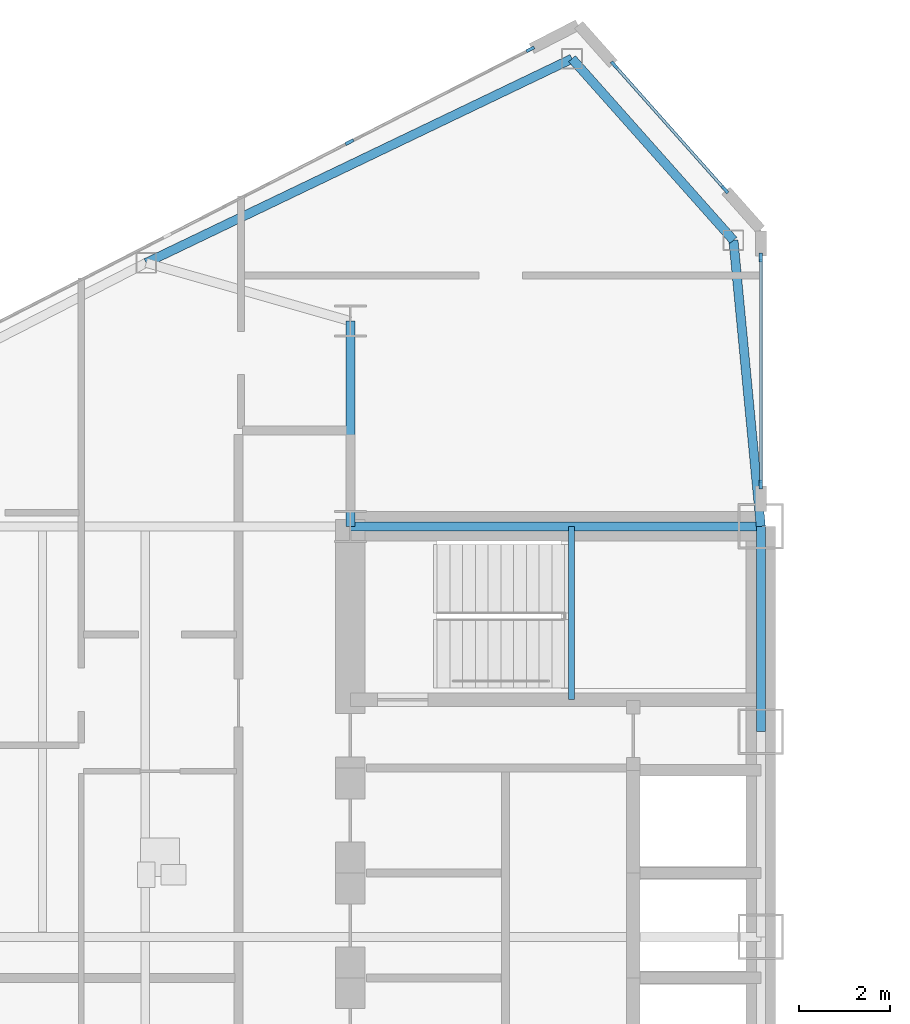
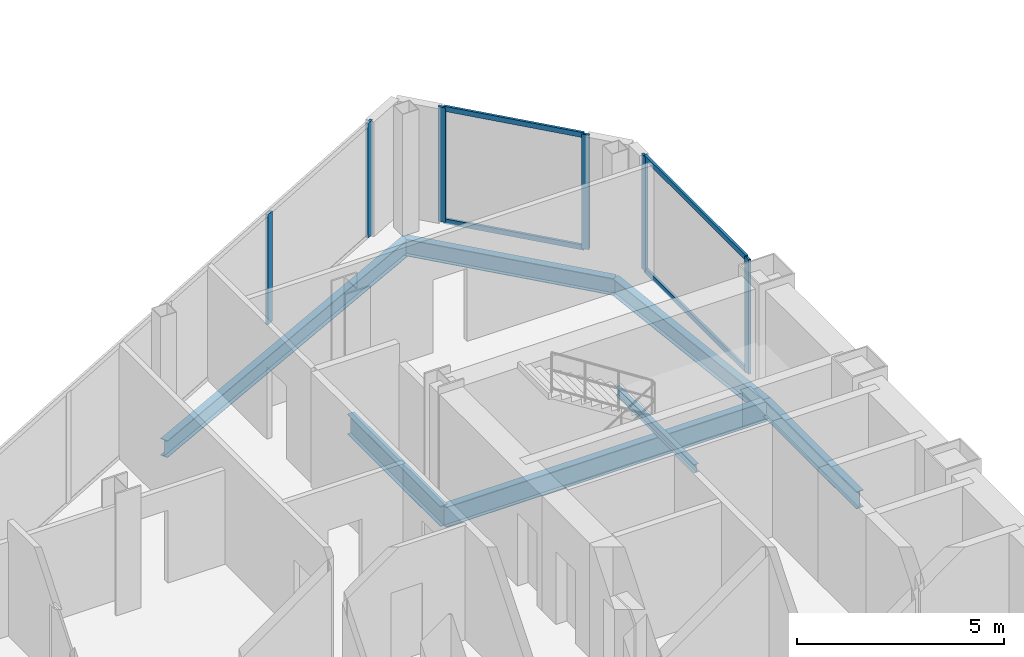
# One storey, part 7 of 24: 10 members, 7 beams, 3 elements without a shape of their own.
"""IFC4 building model written with IfcOpenShell, lengths in metres."""

import ifcopenshell
import ifcopenshell.guid

model = None  # the IFC model being written
_history = None  # IfcOwnerHistory: only IFC2X3 demands one
_inside = {}  # id of a spatial element -> (the spatial element, [elements in it])
_under = {}  # id of a project, library or spatial element -> (it, [spatial elements below it])
_declared = {}  # id of a project -> (the project, [libraries it declares])
_typed = {}  # id of a type object -> (the type object, [elements of that type])
_made_of = {}  # id of a material, layer set ... -> (it, [elements and type objects made of it])


def new_model(schema):
    """Start an empty IFC model of exactly this schema.

    Asked for "IFC4X3", IfcOpenShell would pick the latest addendum, in which some entities
    have other attributes; the version numbers below select the first issue.
    IFC2X3 requires an IfcOwnerHistory on every rooted entity: one is made here for all.
    """
    global model, _history
    if schema == "IFC4X3":
        model = ifcopenshell.file(schema_version=(4, 3, 0, 0))
    else:
        model = ifcopenshell.file(schema=schema)
    _inside.clear()
    _under.clear()
    _declared.clear()
    _typed.clear()
    _made_of.clear()
    _history = None
    if model.schema == "IFC2X3":
        org = make("IfcOrganization", Name="unknown")
        user = make(
            "IfcPersonAndOrganization",
            ThePerson=make("IfcPerson", FamilyName="unknown"),
            TheOrganization=org,
        )
        app = make(
            "IfcApplication",
            ApplicationDeveloper=org,
            Version="unknown",
            ApplicationFullName="unknown",
            ApplicationIdentifier="unknown",
        )
        _history = make(
            "IfcOwnerHistory",
            OwningUser=user,
            OwningApplication=app,
            ChangeAction="ADDED",
            CreationDate=0,
        )
    return model


def make(cls, **values):
    """One entity of the class cls with the attributes given. An attribute that is None is left unset."""
    return model.create_entity(
        cls, **{name: value for name, value in values.items() if value is not None}
    )


def rooted(cls, **values):
    """An entity with a GlobalId (a new one), such as an element, a storey or a relation."""
    return make(cls, GlobalId=ifcopenshell.guid.new(), OwnerHistory=_history, **values)


def si_unit(unit_type, name, prefix=None):
    """IfcSIUnit, for example si_unit("LENGTHUNIT", "METRE", prefix="MILLI")."""
    return make("IfcSIUnit", UnitType=unit_type, Prefix=prefix, Name=name)


def assignment(units):
    """IfcUnitAssignment: the units of a project."""
    return None if units is None else make("IfcUnitAssignment", Units=units)


def point(xyz):
    """IfcCartesianPoint."""
    return None if xyz is None else make("IfcCartesianPoint", Coordinates=xyz)


def direction(xyz):
    """IfcDirection."""
    return None if xyz is None else make("IfcDirection", DirectionRatios=xyz)


def frame(location, z_axis=None, x_axis=None):
    """IfcAxis2Placement3D, a coordinate frame: its origin and axes. An axis left out is left unset."""
    return make(
        "IfcAxis2Placement3D",
        Location=point(location),
        Axis=direction(z_axis),
        RefDirection=direction(x_axis),
    )


def frame_2d(location, x_axis=None):
    """IfcAxis2Placement2D, a coordinate frame in the plane: its origin and x axis."""
    return make(
        "IfcAxis2Placement2D", Location=point(location), RefDirection=direction(x_axis)
    )


def origin():
    """The frame at (0, 0, 0) with its axes left unset."""
    return frame((0.0, 0.0, 0.0))


def origin_2d():
    """The frame at (0, 0) in the plane with its x axis left unset."""
    return frame_2d((0.0, 0.0))


def place(relative_to, where):
    """IfcLocalPlacement: puts the frame where relative to a parent placement (None: the world)."""
    return make(
        "IfcLocalPlacement", PlacementRelTo=relative_to, RelativePlacement=where
    )


def context(
    kind, dimensions, precision=None, world=None, true_north=None, identifier=None
):
    """IfcGeometricRepresentationContext, for example the 3D "Model" context."""
    return make(
        "IfcGeometricRepresentationContext",
        ContextIdentifier=identifier,
        ContextType=kind,
        CoordinateSpaceDimension=dimensions,
        Precision=precision,
        WorldCoordinateSystem=world,
        TrueNorth=true_north,
    )


def subcontext(parent, identifier, kind, view, scale=None):
    """IfcGeometricRepresentationSubContext, for example "Body" below "Model"."""
    return make(
        "IfcGeometricRepresentationSubContext",
        ContextIdentifier=identifier,
        ContextType=kind,
        ParentContext=parent,
        TargetScale=scale,
        TargetView=view,
    )


def project(units=None, contexts=None):
    """IfcProject with its units and contexts."""
    return rooted(
        "IfcProject",
        Name="project",
        RepresentationContexts=contexts,
        UnitsInContext=assignment(units),
    )


def spatial(cls, under=None, at=None, **own):
    """A site, building, storey or space (cls), placed at a placement, below another one or the project."""
    s = rooted(cls, ObjectPlacement=at, **own)
    if under is not None:
        _under.setdefault(under.id(), (under, []))[1].append(s)
    return s


def profile(cls, at=None, kind="AREA", **sizes):
    """A parametric profile (cls). Its sizes go by their IFC names, for example OverallWidth=200.0."""
    return make(cls, ProfileType=kind, Position=at, **sizes)


def rectangle(**sizes):
    """IfcRectangleProfileDef."""
    return profile("IfcRectangleProfileDef", **sizes)


def i_section(**sizes):
    """IfcIShapeProfileDef."""
    return profile("IfcIShapeProfileDef", **sizes)


def extrude(swept, where, along, depth):
    """IfcExtrudedAreaSolid: the profile swept, set in the frame where, extruded along a direction by depth."""
    return make(
        "IfcExtrudedAreaSolid",
        SweptArea=swept,
        Position=where,
        ExtrudedDirection=direction(along),
        Depth=depth,
    )


def shape(context_of_items, identifier, shape_type, items):
    """IfcShapeRepresentation: the items that make up one representation, for example the "Body"."""
    return make(
        "IfcShapeRepresentation",
        ContextOfItems=context_of_items,
        RepresentationIdentifier=identifier,
        RepresentationType=shape_type,
        Items=items,
    )


def source(mapping_origin, context_of_items, identifier, shape_type, items):
    """IfcRepresentationMap: a shape defined once, which mapped items show again and again."""
    return make(
        "IfcRepresentationMap",
        MappingOrigin=mapping_origin,
        MappedRepresentation=shape(context_of_items, identifier, shape_type, items),
    )


def transform(
    local_origin,
    x_axis=None,
    y_axis=None,
    z_axis=None,
    scale=None,
    scale2=None,
    scale3=None,
    uniform=True,
):
    """IfcCartesianTransformationOperator3D, or its non-uniform kind. x_axis, y_axis, z_axis: its Axis1, 2, 3."""
    if uniform:
        return make(
            "IfcCartesianTransformationOperator3D",
            Axis1=direction(x_axis),
            Axis2=direction(y_axis),
            LocalOrigin=point(local_origin),
            Scale=scale,
            Axis3=direction(z_axis),
        )
    return make(
        "IfcCartesianTransformationOperator3DnonUniform",
        Axis1=direction(x_axis),
        Axis2=direction(y_axis),
        LocalOrigin=point(local_origin),
        Scale=scale,
        Axis3=direction(z_axis),
        Scale2=scale2,
        Scale3=scale3,
    )


def mapped(mapping_source, mapping_target):
    """IfcMappedItem: shows the shape of a source again, moved by a transform."""
    return make(
        "IfcMappedItem", MappingSource=mapping_source, MappingTarget=mapping_target
    )


def material(Name=None, Category=None):
    """IfcMaterial."""
    return make("IfcMaterial", Name=Name, Category=Category)


def layer(
    of_material, thickness, ventilated=None, Name=None, Category=None, Priority=None
):
    """IfcMaterialLayer: one layer of a wall or slab, of a material (None: an air gap)."""
    return make(
        "IfcMaterialLayer",
        Material=of_material,
        LayerThickness=thickness,
        IsVentilated=ventilated,
        Name=Name,
        Category=Category,
        Priority=Priority,
    )


def layer_set(layers, Name=None):
    """IfcMaterialLayerSet."""
    return make("IfcMaterialLayerSet", MaterialLayers=layers, LayerSetName=Name)


def material_profile(
    of_material, cross_section, Name=None, Category=None, Priority=None
):
    """IfcMaterialProfile: a cross section and its material."""
    return make(
        "IfcMaterialProfile",
        Name=Name,
        Material=of_material,
        Profile=cross_section,
        Priority=Priority,
        Category=Category,
    )


def profile_set(profiles, Name=None, composite=None):
    """IfcMaterialProfileSet."""
    return make(
        "IfcMaterialProfileSet",
        Name=Name,
        MaterialProfiles=profiles,
        CompositeProfile=composite,
    )


def made_of(thing, what):
    """Note that an element or type object is made of a material, layer set ...; save() writes the relation."""
    if what is not None:
        _made_of.setdefault(what.id(), (what, []))[1].append(thing)
    return thing


def type_object(cls, material=None, **own):
    """A type object (cls), such as IfcWallType, which elements share."""
    return made_of(rooted(cls, **own), material)


def type_shapes(of_type, sources):
    """Give a type object the sources (RepresentationMaps) that its elements show as mapped items."""
    of_type.RepresentationMaps = sources


def element(
    cls,
    number,
    at=None,
    inside=None,
    cuts=None,
    type_object=None,
    material=None,
    context=None,
    identifier="Body",
    shape_type=None,
    held_by="IfcProductDefinitionShape",
    body=None,
    shapes=None,
    **own,
):
    """One element of the class cls, such as IfcWall. Its Tag is "e" and its number.

    at: its placement. inside: the storey or other place that contains it. cuts: it is an
    opening in that element (IfcRelVoidsElement). A single representation is given by context,
    identifier, shape_type and body (its items); several are given by shapes. held_by: the class
    of the entity that holds the representations. save() writes the other relations.
    """
    e = rooted(cls, Tag="e%d" % number, ObjectPlacement=at, **own)
    if body is not None:
        shapes = [shape(context, identifier, shape_type, body)]
    if shapes is not None:
        e.Representation = make(held_by, Representations=shapes)
    if inside is not None:
        _inside.setdefault(inside.id(), (inside, []))[1].append(e)
    if cuts is not None:
        rooted(
            "IfcRelVoidsElement", RelatingBuildingElement=cuts, RelatedOpeningElement=e
        )
    if type_object is not None:
        _typed.setdefault(type_object.id(), (type_object, []))[1].append(e)
    return made_of(e, material)


def aggregate(whole, parts):
    """IfcRelAggregates: a whole, such as a stair, and the parts it consists of."""
    return rooted("IfcRelAggregates", RelatingObject=whole, RelatedObjects=parts)


def save(model, path):
    """Write the relations noted so far, then the file.

    IfcRelAggregates (storeys below a building ...), IfcRelContainedInSpatialStructure (elements
    in a storey), IfcRelDefinesByType, IfcRelAssociatesMaterial and IfcRelDeclares: one each for
    every whole, place, type object, material and project.
    """
    for whole, parts in _under.values():
        aggregate(whole, parts)
    for where, things in _inside.values():
        rooted(
            "IfcRelContainedInSpatialStructure",
            RelatedElements=things,
            RelatingStructure=where,
        )
    for kind, things in _typed.values():
        rooted("IfcRelDefinesByType", RelatedObjects=things, RelatingType=kind)
    for what, things in _made_of.values():
        rooted("IfcRelAssociatesMaterial", RelatedObjects=things, RelatingMaterial=what)
    for by, libraries in _declared.values():
        rooted("IfcRelDeclares", RelatingContext=by, RelatedDefinitions=libraries)
    model.write(path)


model = new_model("IFC4")

# Units and contexts
model_context = context("Model", 3, precision=1e-05, world=origin(), true_north=direction((0.0, 1.0)))
body_context = subcontext(model_context, "Body", "Model", "MODEL_VIEW")
ifc_project = project(units=[si_unit("LENGTHUNIT", "METRE"), si_unit("AREAUNIT", "SQUARE_METRE"), si_unit("VOLUMEUNIT", "CUBIC_METRE"), si_unit("PLANEANGLEUNIT", "RADIAN"), si_unit("MASSUNIT", "GRAM", prefix="KILO")], contexts=[model_context])

# Site, building, storey
site_placement = place(None, origin())
site = spatial("IfcSite", under=ifc_project, at=site_placement, CompositionType="ELEMENT")
building_placement = place(site_placement, origin())
building = spatial("IfcBuilding", under=site, at=building_placement, Name="Seokmaru Belvedere", CompositionType="ELEMENT")
storey_placement = place(building_placement, frame((0.0, 0.0, 124.800048828125)))
storey = spatial("IfcBuildingStorey", under=building, at=storey_placement, Name="L33", CompositionType="ELEMENT", Elevation=124.800048828125)

# Beams
ifc_material_1 = material(Name="Steel SM355 (355 MPa)", Category="steel")
ifc_material_profile_1 = material_profile(ifc_material_1, i_section(OverallWidth=0.199951171875, OverallDepth=0.5, WebThickness=0.010009765625, FlangeThickness=0.01611328125, at=origin_2d()), Name="H-500x200x10x16")
ifc_profile_set_1 = profile_set([ifc_material_profile_1], Name="Steel SM355 (355 MPa)")
beam_type_1 = type_object("IfcBeamType", Name="Perimeter Spandrel Beam H-500", PredefinedType="SPANDREL", material=ifc_profile_set_1)
shared_shape_1 = source(origin(), body_context, "Body", "SweptSolid", [
    extrude(i_section(OverallWidth=0.199951171875, OverallDepth=0.5, WebThickness=0.010009765625, FlangeThickness=0.01611328125, at=origin_2d()), origin(), (0.0, 0.0, 1.0), 4.5),
])
beam_1_placement = place(storey_placement, frame((-27.5, 9.0, -0.469970703125), z_axis=(0.0, 1.0, 0.0), x_axis=(-1.0, 0.0, 0.0)))
element("IfcBeam", 1, at=beam_1_placement, inside=storey, type_object=beam_type_1, Name="L33 W Portal Spine Spandrel 5", PredefinedType="SPANDREL", context=body_context, shape_type="MappedRepresentation", body=[
    mapped(shared_shape_1, transform((0.0, 0.0, 0.0), scale=1.0)),
])
ifc_material_profile_2 = material_profile(ifc_material_1, i_section(OverallWidth=0.199951171875, OverallDepth=0.60009765625, WebThickness=0.010986328125, FlangeThickness=0.01708984375, at=origin_2d()), Name="H-600x200x11x17")
ifc_profile_set_2 = profile_set([ifc_material_profile_2], Name="Steel SM355 (355 MPa)")
beam_type_2 = type_object("IfcBeamType", Name="Primary Floor Girder H-600", PredefinedType="BEAM", material=ifc_profile_set_2)
shared_shape_2 = source(origin(), body_context, "Body", "SweptSolid", [
    extrude(i_section(OverallWidth=0.199951171875, OverallDepth=0.60009765625, WebThickness=0.010986328125, FlangeThickness=0.01708984375, at=origin_2d()), origin(), (0.0, 0.0, 1.0), 9.0),
])
beam_2_placement = place(storey_placement, frame((-36.5, 13.5, -0.52001953125), z_axis=(1.0, 0.0, 0.0), x_axis=(0.0, 1.0, 0.0)))
element("IfcBeam", 2, at=beam_2_placement, inside=storey, type_object=beam_type_2, Name="L33 W Core Tie Girder 4", PredefinedType="BEAM", context=body_context, shape_type="MappedRepresentation", body=[
    mapped(shared_shape_2, transform((0.0, 0.0, 0.0), scale=1.0)),
])
shared_shape_3 = source(origin(), body_context, "Body", "SweptSolid", [
    extrude(i_section(OverallWidth=0.199951171875, OverallDepth=0.60009765625, WebThickness=0.010986328125, FlangeThickness=0.01708984375, at=origin_2d()), origin(), (0.0, 0.0, 1.0), 4.5),
])
type_shapes(beam_type_2, [shared_shape_2, shared_shape_3])
beam_3_placement = place(storey_placement, frame((-36.5, 13.5, -0.52001953125), z_axis=(0.0, 1.0, 0.0), x_axis=(-1.0, 0.0, 0.0)))
element("IfcBeam", 3, at=beam_3_placement, inside=storey, type_object=beam_type_2, Name="L33 W Core Shoulder Girder N", PredefinedType="BEAM", context=body_context, shape_type="MappedRepresentation", body=[
    mapped(shared_shape_3, transform((0.0, 0.0, 0.0), scale=1.0)),
])
shared_shape_4 = source(origin(), body_context, "Body", "SweptSolid", [
    extrude(i_section(OverallWidth=0.199951171875, OverallDepth=0.5, WebThickness=0.010009765625, FlangeThickness=0.01611328125, at=origin_2d()), origin(), (0.0, 0.0, 1.0), 10.353759765625),
])
beam_4_placement = place(storey_placement, frame((-31.6396484375, 23.75390625, -0.469970703125), z_axis=(-0.901713202822, -0.432334708134, 0.0), x_axis=(0.432334708134, -0.901713202822, 0.0)))
element("IfcBeam", 4, at=beam_4_placement, inside=storey, type_object=beam_type_1, Name="L33 W Faceted Flank Spandrel N-1", PredefinedType="SPANDREL", context=body_context, shape_type="MappedRepresentation", body=[
    mapped(shared_shape_4, transform((0.0, 0.0, 0.0), scale=1.0)),
])
shared_shape_5 = source(origin(), body_context, "Body", "SweptSolid", [
    extrude(i_section(OverallWidth=0.199951171875, OverallDepth=0.5, WebThickness=0.010009765625, FlangeThickness=0.01611328125, at=origin_2d()), origin(), (0.0, 0.0, 1.0), 5.32763671875),
])
beam_5_placement = place(storey_placement, frame((-31.6396484375, 23.75390625, -0.469970703125), z_axis=(0.66436952742, -0.74740426212, 0.0), x_axis=(0.74740426212, 0.66436952742, 0.0)))
element("IfcBeam", 5, at=beam_5_placement, inside=storey, type_object=beam_type_1, Name="L33 W Shoulder Chamfer Spandrel N", PredefinedType="SPANDREL", context=body_context, shape_type="MappedRepresentation", body=[
    mapped(shared_shape_5, transform((0.0, 0.0, 0.0), scale=1.0)),
])
shared_shape_6 = source(origin(), body_context, "Body", "SweptSolid", [
    extrude(i_section(OverallWidth=0.199951171875, OverallDepth=0.5, WebThickness=0.010009765625, FlangeThickness=0.01611328125, at=origin_2d()), origin(), (0.0, 0.0, 1.0), 6.300537109375),
])
type_shapes(beam_type_1, [shared_shape_1, shared_shape_4, shared_shape_5, shared_shape_6])
beam_6_placement = place(storey_placement, frame((-28.10009765625, 19.77197265625, -0.469970703125), z_axis=(0.095244287992, -0.995453929424, 0.0), x_axis=(0.995453929424, 0.095244287992, 0.0)))
element("IfcBeam", 6, at=beam_6_placement, inside=storey, type_object=beam_type_1, Name="L33 W Shoulder Spine Spandrel N", PredefinedType="SPANDREL", context=body_context, shape_type="MappedRepresentation", body=[
    mapped(shared_shape_6, transform((0.0, 0.0, 0.0), scale=1.0)),
])

# Curtain wall, members
ifc_material_2 = material(Name="Bronze Triple Insulating Glass", Category="glass")
ifc_layer = layer(ifc_material_2, 0.195068359375)
ifc_layer_set = layer_set([ifc_layer], Name="Bronze Triple Insulating Glass")
curtain_wall_type = type_object("IfcCurtainWallType", Name="Sky-Lobby and Mid-Rise Curtain Wall System CW-4", PredefinedType="NOTDEFINED", material=ifc_layer_set)
curtain_wall_1_placement = place(storey_placement, origin())
curtain_wall_1 = element("IfcCurtainWall", 7, at=curtain_wall_1_placement, inside=storey, type_object=curtain_wall_type, Name="L33 Curtain Wall WSP_2", PredefinedType="NOTDEFINED")
ifc_material_3 = material(Name="Anodised Bronze Aluminium", Category="aluminium")
ifc_material_profile_3 = material_profile(ifc_material_3, rectangle(XDim=0.070068359375, YDim=0.195068359375, at=origin_2d()), Name="CW-M-70x195")
ifc_profile_set_3 = profile_set([ifc_material_profile_3], Name="Anodised Bronze Aluminium")
member_type_1 = type_object("IfcMemberType", Name="Bronze Unitised Mullion 70x195", PredefinedType="MULLION", material=ifc_profile_set_3)
shared_shape_7 = source(origin(), body_context, "Body", "SweptSolid", [
    extrude(rectangle(XDim=0.070068359375, YDim=0.195068359375, at=origin_2d()), origin(), (0.0, 0.0, 1.0), 3.3798828125),
])
member_1_placement = place(storey_placement, frame((-27.5, 14.4150390625, 0.0), z_axis=(0.0, 0.0, 1.0), x_axis=(-1.0, 0.0, 0.0)))
member_1 = element("IfcMember", 8, at=member_1_placement, type_object=member_type_1, Name="CW:L33:WSP_2 Mullion 1", PredefinedType="MULLION", context=body_context, shape_type="MappedRepresentation", body=[
    mapped(shared_shape_7, transform((0.0, 0.0, 0.0), scale=1.0)),
])
member_2_placement = place(storey_placement, frame((-27.5, 19.39501953125, 0.0), z_axis=(0.0, 0.0, 1.0), x_axis=(-1.0, 0.0, 0.0)))
member_2 = element("IfcMember", 9, at=member_2_placement, type_object=member_type_1, Name="CW:L33:WSP_2 Mullion 2", PredefinedType="MULLION", context=body_context, shape_type="MappedRepresentation", body=[
    mapped(shared_shape_7, transform((0.0, 0.0, 0.0), scale=1.0)),
])

curtain_wall_2_placement = place(storey_placement, origin())
curtain_wall_2 = element("IfcCurtainWall", 10, at=curtain_wall_2_placement, inside=storey, type_object=curtain_wall_type, Name="L33 Curtain Wall WF2", PredefinedType="NOTDEFINED")
member_3_placement = place(storey_placement, frame((-28.287353515625, 20.8857421875, 0.0), z_axis=(0.0, 0.0, 1.0), x_axis=(-0.747409774804, -0.664363325694, 0.0)))
member_3 = element("IfcMember", 11, at=member_3_placement, type_object=member_type_1, Name="CW:L33:WF2 Mullion 1", PredefinedType="MULLION", context=body_context, shape_type="MappedRepresentation", body=[
    mapped(shared_shape_7, transform((0.0, 0.0, 0.0), scale=1.0)),
])
member_4_placement = place(storey_placement, frame((-30.712646484375, 23.6142578125, 0.0), z_axis=(0.0, 0.0, 1.0), x_axis=(-0.747409774804, -0.664363325694, 0.0)))
member_4 = element("IfcMember", 12, at=member_4_placement, type_object=member_type_1, Name="CW:L33:WF2 Mullion 2", PredefinedType="MULLION", context=body_context, shape_type="MappedRepresentation", body=[
    mapped(shared_shape_7, transform((0.0, 0.0, 0.0), scale=1.0)),
])

# Curtain wall, member
curtain_wall_3_placement = place(storey_placement, origin())
curtain_wall_3 = element("IfcCurtainWall", 13, at=curtain_wall_3_placement, inside=storey, type_object=curtain_wall_type, Name="L33 Curtain Wall WF3", PredefinedType="NOTDEFINED")
member_5_placement = place(storey_placement, frame((-32.55419921875, 23.958984375, 0.0), z_axis=(0.0, 0.0, 1.0), x_axis=(0.456554528263, -0.889695432562, 0.0)))
member_5 = element("IfcMember", 14, at=member_5_placement, type_object=member_type_1, Name="CW:L33:WF3 Mullion 1", PredefinedType="MULLION", context=body_context, shape_type="MappedRepresentation", body=[
    mapped(shared_shape_7, transform((0.0, 0.0, 0.0), scale=1.0)),
])

# Member
ifc_material_profile_4 = material_profile(ifc_material_3, rectangle(XDim=0.06494140625, YDim=0.14990234375, at=origin_2d()), Name="CW-T-65x150")
ifc_profile_set_4 = profile_set([ifc_material_profile_4], Name="Anodised Bronze Aluminium")
member_type_2 = type_object("IfcMemberType", Name="Bronze Unitised Transom 65x150", PredefinedType="USERDEFINED", material=ifc_profile_set_4)
shared_shape_8 = source(origin(), body_context, "Body", "SweptSolid", [
    extrude(rectangle(XDim=0.06494140625, YDim=0.14990234375, at=origin_2d()), origin(), (0.0, 0.0, 1.0), 4.91015625),
])
member_6_placement = place(storey_placement, frame((-27.5, 14.449951171875, 0.032470703125), z_axis=(0.0, 1.0, 0.0), x_axis=(-1.0, 0.0, 0.0)))
member_6 = element("IfcMember", 15, at=member_6_placement, type_object=member_type_2, Name="CW:L33:WSP_2 Continuous Transom 1", ObjectType="TRANSOM", PredefinedType="USERDEFINED", context=body_context, shape_type="MappedRepresentation", body=[
    mapped(shared_shape_8, transform((0.0, 0.0, 0.0), scale=1.0)),
])

member_7_placement = place(storey_placement, frame((-27.5, 14.449951171875, 3.347412109375), z_axis=(0.0, 1.0, 0.0), x_axis=(-1.0, 0.0, 0.0)))
member_7 = element("IfcMember", 16, at=member_7_placement, type_object=member_type_2, Name="CW:L33:WSP_2 Continuous Transom 2", ObjectType="TRANSOM", PredefinedType="USERDEFINED", context=body_context, shape_type="MappedRepresentation", body=[
    mapped(shared_shape_8, transform((0.0, 0.0, 0.0), scale=1.0)),
])

aggregate(curtain_wall_1, [member_1, member_2, member_6, member_7])

shared_shape_9 = source(origin(), body_context, "Body", "SweptSolid", [
    extrude(rectangle(XDim=0.06494140625, YDim=0.14990234375, at=origin_2d()), origin(), (0.0, 0.0, 1.0), 3.580810546875),
])
type_shapes(member_type_2, [shared_shape_8, shared_shape_9])
member_8_placement = place(storey_placement, frame((-28.310546875, 20.911865234375, 0.032470703125), z_axis=(-0.66436383883, 0.747409318684, 0.0), x_axis=(-0.747409318684, -0.66436383883, 0.0)))
member_8 = element("IfcMember", 17, at=member_8_placement, type_object=member_type_2, Name="CW:L33:WF2 Continuous Transom 1", ObjectType="TRANSOM", PredefinedType="USERDEFINED", context=body_context, shape_type="MappedRepresentation", body=[
    mapped(shared_shape_9, transform((0.0, 0.0, 0.0), scale=1.0)),
])

member_9_placement = place(storey_placement, frame((-28.310546875, 20.911865234375, 3.347412109375), z_axis=(-0.66436383883, 0.747409318684, 0.0), x_axis=(-0.747409318684, -0.66436383883, 0.0)))
member_9 = element("IfcMember", 18, at=member_9_placement, type_object=member_type_2, Name="CW:L33:WF2 Continuous Transom 2", ObjectType="TRANSOM", PredefinedType="USERDEFINED", context=body_context, shape_type="MappedRepresentation", body=[
    mapped(shared_shape_9, transform((0.0, 0.0, 0.0), scale=1.0)),
])

aggregate(curtain_wall_2, [member_3, member_4, member_8, member_9])

shared_shape_10 = source(origin(), body_context, "Body", "SweptSolid", [
    extrude(rectangle(XDim=0.070068359375, YDim=0.195068359375, at=origin_2d()), origin(), (0.0, 0.0, 1.0), 3.25),
])
type_shapes(member_type_1, [shared_shape_7, shared_shape_10])
member_10_placement = place(storey_placement, frame((-36.51806640625, 21.925048828125, 0.06494140625), z_axis=(0.0, 0.0, 1.0), x_axis=(0.456554528263, -0.889695432562, 0.0)))
member_10 = element("IfcMember", 19, at=member_10_placement, type_object=member_type_1, Name="CW:L33:WF3 Mullion 2", PredefinedType="MULLION", context=body_context, shape_type="MappedRepresentation", body=[
    mapped(shared_shape_10, transform((0.0, 0.0, 0.0), scale=1.0)),
])

aggregate(curtain_wall_3, [member_5, member_10])

# Beam
ifc_material_profile_5 = material_profile(ifc_material_1, i_section(OverallWidth=0.125, OverallDepth=0.25, WebThickness=0.006103515625, FlangeThickness=0.009033203125, at=origin_2d()), Name="H-250x125x6x9")
ifc_profile_set_5 = profile_set([ifc_material_profile_5], Name="Steel SM355 (355 MPa)")
beam_type_3 = type_object("IfcBeamType", Name="Stair Mid-Landing Support Beam H-250", PredefinedType="JOIST", material=ifc_profile_set_5)
shared_shape_11 = source(origin(), body_context, "Body", "SweptSolid", [
    extrude(i_section(OverallWidth=0.125, OverallDepth=0.25, WebThickness=0.006103515625, FlangeThickness=0.009033203125, at=origin_2d()), origin(), (0.0, 0.0, 1.0), 3.800048828125),
])
type_shapes(beam_type_3, [shared_shape_11])
beam_7_placement = place(storey_placement, frame((-31.64990234375, 9.699951171875, 1.474853515625), z_axis=(0.0, 1.0, 0.0), x_axis=(-1.0, 0.0, 0.0)))
element("IfcBeam", 20, at=beam_7_placement, inside=storey, type_object=beam_type_3, Name="L33 Stair ST-W2 Mid-Landing Support Beam 1", PredefinedType="JOIST", context=body_context, shape_type="MappedRepresentation", body=[
    mapped(shared_shape_11, transform((0.0, 0.0, 0.0), scale=1.0)),
])

save(model, "model.ifc")
